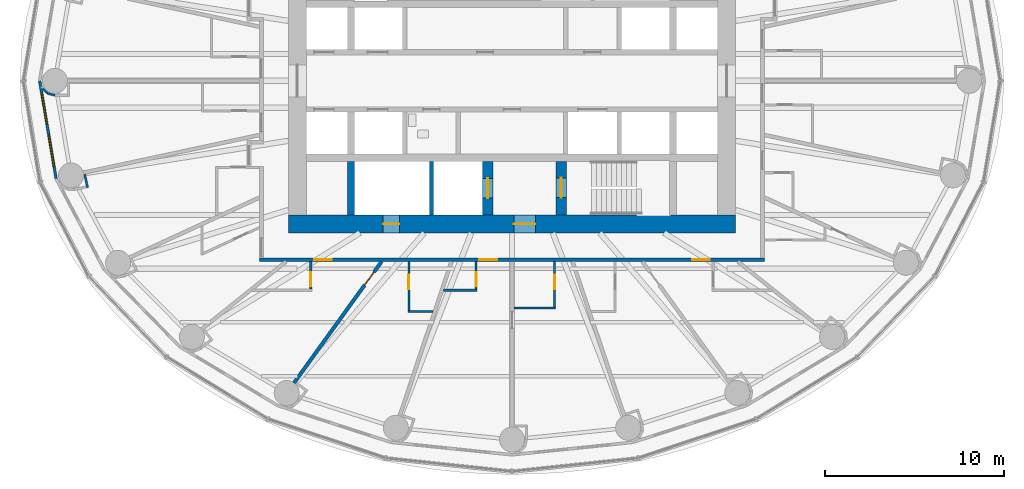
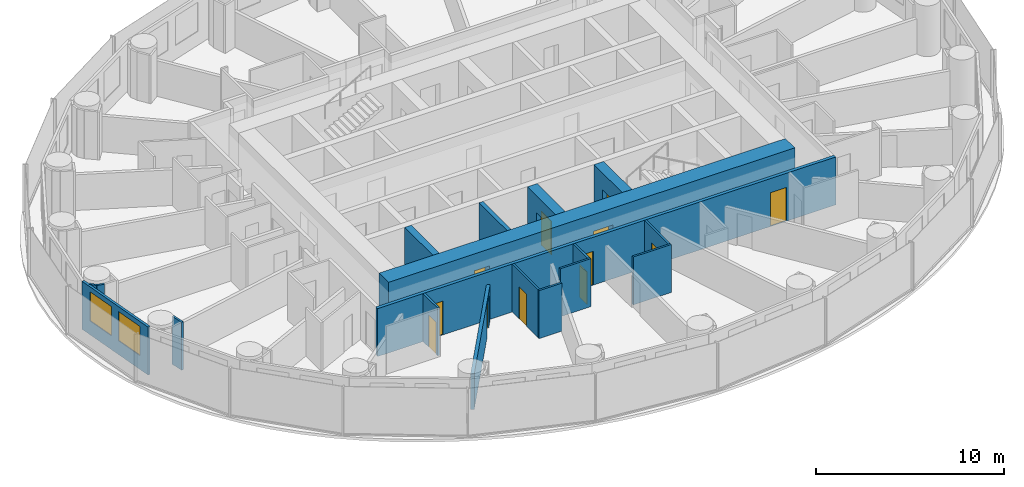
# One storey, part 7 of 16: 18 walls, 12 doors, 2 windows, 14 openings.
"""IFC4 building model written with IfcOpenShell, lengths in metres."""

import ifcopenshell
import ifcopenshell.guid

model = None  # the IFC model being written
_history = None  # IfcOwnerHistory: only IFC2X3 demands one
_inside = {}  # id of a spatial element -> (the spatial element, [elements in it])
_under = {}  # id of a project, library or spatial element -> (it, [spatial elements below it])
_declared = {}  # id of a project -> (the project, [libraries it declares])
_typed = {}  # id of a type object -> (the type object, [elements of that type])
_made_of = {}  # id of a material, layer set ... -> (it, [elements and type objects made of it])


def new_model(schema):
    """Start an empty IFC model of exactly this schema.

    Asked for "IFC4X3", IfcOpenShell would pick the latest addendum, in which some entities
    have other attributes; the version numbers below select the first issue.
    IFC2X3 requires an IfcOwnerHistory on every rooted entity: one is made here for all.
    """
    global model, _history
    if schema == "IFC4X3":
        model = ifcopenshell.file(schema_version=(4, 3, 0, 0))
    else:
        model = ifcopenshell.file(schema=schema)
    _inside.clear()
    _under.clear()
    _declared.clear()
    _typed.clear()
    _made_of.clear()
    _history = None
    if model.schema == "IFC2X3":
        org = make("IfcOrganization", Name="unknown")
        user = make(
            "IfcPersonAndOrganization",
            ThePerson=make("IfcPerson", FamilyName="unknown"),
            TheOrganization=org,
        )
        app = make(
            "IfcApplication",
            ApplicationDeveloper=org,
            Version="unknown",
            ApplicationFullName="unknown",
            ApplicationIdentifier="unknown",
        )
        _history = make(
            "IfcOwnerHistory",
            OwningUser=user,
            OwningApplication=app,
            ChangeAction="ADDED",
            CreationDate=0,
        )
    return model


def make(cls, **values):
    """One entity of the class cls with the attributes given. An attribute that is None is left unset."""
    return model.create_entity(
        cls, **{name: value for name, value in values.items() if value is not None}
    )


def rooted(cls, **values):
    """An entity with a GlobalId (a new one), such as an element, a storey or a relation."""
    return make(cls, GlobalId=ifcopenshell.guid.new(), OwnerHistory=_history, **values)


def si_unit(unit_type, name, prefix=None):
    """IfcSIUnit, for example si_unit("LENGTHUNIT", "METRE", prefix="MILLI")."""
    return make("IfcSIUnit", UnitType=unit_type, Prefix=prefix, Name=name)


def assignment(units):
    """IfcUnitAssignment: the units of a project."""
    return None if units is None else make("IfcUnitAssignment", Units=units)


def point(xyz):
    """IfcCartesianPoint."""
    return None if xyz is None else make("IfcCartesianPoint", Coordinates=xyz)


def direction(xyz):
    """IfcDirection."""
    return None if xyz is None else make("IfcDirection", DirectionRatios=xyz)


def frame(location, z_axis=None, x_axis=None):
    """IfcAxis2Placement3D, a coordinate frame: its origin and axes. An axis left out is left unset."""
    return make(
        "IfcAxis2Placement3D",
        Location=point(location),
        Axis=direction(z_axis),
        RefDirection=direction(x_axis),
    )


def frame_2d(location, x_axis=None):
    """IfcAxis2Placement2D, a coordinate frame in the plane: its origin and x axis."""
    return make(
        "IfcAxis2Placement2D", Location=point(location), RefDirection=direction(x_axis)
    )


def origin():
    """The frame at (0, 0, 0) with its axes left unset."""
    return frame((0.0, 0.0, 0.0))


def place(relative_to, where):
    """IfcLocalPlacement: puts the frame where relative to a parent placement (None: the world)."""
    return make(
        "IfcLocalPlacement", PlacementRelTo=relative_to, RelativePlacement=where
    )


def context(
    kind, dimensions, precision=None, world=None, true_north=None, identifier=None
):
    """IfcGeometricRepresentationContext, for example the 3D "Model" context."""
    return make(
        "IfcGeometricRepresentationContext",
        ContextIdentifier=identifier,
        ContextType=kind,
        CoordinateSpaceDimension=dimensions,
        Precision=precision,
        WorldCoordinateSystem=world,
        TrueNorth=true_north,
    )


def subcontext(parent, identifier, kind, view, scale=None):
    """IfcGeometricRepresentationSubContext, for example "Body" below "Model"."""
    return make(
        "IfcGeometricRepresentationSubContext",
        ContextIdentifier=identifier,
        ContextType=kind,
        ParentContext=parent,
        TargetScale=scale,
        TargetView=view,
    )


def project(units=None, contexts=None):
    """IfcProject with its units and contexts."""
    return rooted(
        "IfcProject",
        Name="project",
        RepresentationContexts=contexts,
        UnitsInContext=assignment(units),
    )


def spatial(cls, under=None, at=None, **own):
    """A site, building, storey or space (cls), placed at a placement, below another one or the project."""
    s = rooted(cls, ObjectPlacement=at, **own)
    if under is not None:
        _under.setdefault(under.id(), (under, []))[1].append(s)
    return s


def profile(cls, at=None, kind="AREA", **sizes):
    """A parametric profile (cls). Its sizes go by their IFC names, for example OverallWidth=200.0."""
    return make(cls, ProfileType=kind, Position=at, **sizes)


def rectangle(**sizes):
    """IfcRectangleProfileDef."""
    return profile("IfcRectangleProfileDef", **sizes)


def extrude(swept, where, along, depth):
    """IfcExtrudedAreaSolid: the profile swept, set in the frame where, extruded along a direction by depth."""
    return make(
        "IfcExtrudedAreaSolid",
        SweptArea=swept,
        Position=where,
        ExtrudedDirection=direction(along),
        Depth=depth,
    )


def shape(context_of_items, identifier, shape_type, items):
    """IfcShapeRepresentation: the items that make up one representation, for example the "Body"."""
    return make(
        "IfcShapeRepresentation",
        ContextOfItems=context_of_items,
        RepresentationIdentifier=identifier,
        RepresentationType=shape_type,
        Items=items,
    )


def material(Name=None, Category=None):
    """IfcMaterial."""
    return make("IfcMaterial", Name=Name, Category=Category)


def layer(
    of_material, thickness, ventilated=None, Name=None, Category=None, Priority=None
):
    """IfcMaterialLayer: one layer of a wall or slab, of a material (None: an air gap)."""
    return make(
        "IfcMaterialLayer",
        Material=of_material,
        LayerThickness=thickness,
        IsVentilated=ventilated,
        Name=Name,
        Category=Category,
        Priority=Priority,
    )


def layer_set(layers, Name=None):
    """IfcMaterialLayerSet."""
    return make("IfcMaterialLayerSet", MaterialLayers=layers, LayerSetName=Name)


def made_of(thing, what):
    """Note that an element or type object is made of a material, layer set ...; save() writes the relation."""
    if what is not None:
        _made_of.setdefault(what.id(), (what, []))[1].append(thing)
    return thing


def type_object(cls, material=None, **own):
    """A type object (cls), such as IfcWallType, which elements share."""
    return made_of(rooted(cls, **own), material)


def element(
    cls,
    number,
    at=None,
    inside=None,
    cuts=None,
    type_object=None,
    material=None,
    context=None,
    identifier="Body",
    shape_type=None,
    held_by="IfcProductDefinitionShape",
    body=None,
    shapes=None,
    **own,
):
    """One element of the class cls, such as IfcWall. Its Tag is "e" and its number.

    at: its placement. inside: the storey or other place that contains it. cuts: it is an
    opening in that element (IfcRelVoidsElement). A single representation is given by context,
    identifier, shape_type and body (its items); several are given by shapes. held_by: the class
    of the entity that holds the representations. save() writes the other relations.
    """
    e = rooted(cls, Tag="e%d" % number, ObjectPlacement=at, **own)
    if body is not None:
        shapes = [shape(context, identifier, shape_type, body)]
    if shapes is not None:
        e.Representation = make(held_by, Representations=shapes)
    if inside is not None:
        _inside.setdefault(inside.id(), (inside, []))[1].append(e)
    if cuts is not None:
        rooted(
            "IfcRelVoidsElement", RelatingBuildingElement=cuts, RelatedOpeningElement=e
        )
    if type_object is not None:
        _typed.setdefault(type_object.id(), (type_object, []))[1].append(e)
    return made_of(e, material)


def fill(opening, filler):
    """IfcRelFillsElement: the door or window that sits in an opening."""
    return rooted(
        "IfcRelFillsElement",
        RelatingOpeningElement=opening,
        RelatedBuildingElement=filler,
    )


def aggregate(whole, parts):
    """IfcRelAggregates: a whole, such as a stair, and the parts it consists of."""
    return rooted("IfcRelAggregates", RelatingObject=whole, RelatedObjects=parts)


def save(model, path):
    """Write the relations noted so far, then the file.

    IfcRelAggregates (storeys below a building ...), IfcRelContainedInSpatialStructure (elements
    in a storey), IfcRelDefinesByType, IfcRelAssociatesMaterial and IfcRelDeclares: one each for
    every whole, place, type object, material and project.
    """
    for whole, parts in _under.values():
        aggregate(whole, parts)
    for where, things in _inside.values():
        rooted(
            "IfcRelContainedInSpatialStructure",
            RelatedElements=things,
            RelatingStructure=where,
        )
    for kind, things in _typed.values():
        rooted("IfcRelDefinesByType", RelatedObjects=things, RelatingType=kind)
    for what, things in _made_of.values():
        rooted("IfcRelAssociatesMaterial", RelatedObjects=things, RelatingMaterial=what)
    for by, libraries in _declared.values():
        rooted("IfcRelDeclares", RelatingContext=by, RelatedDefinitions=libraries)
    model.write(path)


model = new_model("IFC4")

# Units and contexts
model_context = context("Model", 3, precision=1e-05, world=origin(), true_north=direction((0.0, 1.0)))
body_context = subcontext(model_context, "Body", "Model", "MODEL_VIEW")
ifc_project = project(units=[si_unit("LENGTHUNIT", "METRE"), si_unit("AREAUNIT", "SQUARE_METRE"), si_unit("VOLUMEUNIT", "CUBIC_METRE"), si_unit("PLANEANGLEUNIT", "RADIAN"), si_unit("MASSUNIT", "GRAM", prefix="KILO")], contexts=[model_context])

# Site, building, storey
site_placement = place(None, origin())
site = spatial("IfcSite", under=ifc_project, at=site_placement, CompositionType="ELEMENT")
building_placement = place(site_placement, origin())
building = spatial("IfcBuilding", under=site, at=building_placement, Name="Hankou Lantern Tower", CompositionType="ELEMENT")
storey_placement = place(building_placement, frame((0.0, 0.0, 77.10009765625)))
storey = spatial("IfcBuildingStorey", under=building, at=storey_placement, Name="L19", CompositionType="ELEMENT", Elevation=77.10009765625)

# Wall, openings, doors
ifc_material_1 = material(Name="Concrete C60", Category="concrete")
ifc_layer_1 = layer(ifc_material_1, 1.0)
ifc_layer_set_1 = layer_set([ifc_layer_1], Name="Concrete C60")
wall_type_1 = type_object("IfcWallType", Name="CW1 CORE WALL 1000", PredefinedType="SHEAR", material=ifc_layer_set_1)
wall_1_placement = place(storey_placement, frame((12.5, -8.0, 0.0), z_axis=(0.0, 0.0, 1.0), x_axis=(-1.0, 0.0, 0.0)))
wall_1 = element("IfcWall", 1, at=wall_1_placement, inside=storey, type_object=wall_type_1, Name="Core wall south L19", PredefinedType="SHEAR", context=body_context, shape_type="SweptSolid", body=[
    extrude(rectangle(XDim=25.0, YDim=1.0, at=frame_2d((12.5, 0.0))), origin(), (0.0, 0.0, 1.0), 3.2998046875),
])
opening_1_placement = place(wall_1_placement, frame((11.199951171875, 0.0, 0.0)))
opening_1 = element("IfcOpeningElement", 2, at=opening_1_placement, cuts=wall_1, Name="Opening D5", PredefinedType="OPENING", context=body_context, shape_type="SweptSolid", body=[
    extrude(rectangle(XDim=1.199951171875, YDim=2.199951171875, at=frame_2d((0.60009765625, 1.10009765625))), frame((0.0, 0.510009765625, 0.0), z_axis=(0.0, -1.0, 0.0), x_axis=(1.0, 0.0, 0.0)), (0.0, 0.0, 1.0), 1.02001953125),
])
opening_2_placement = place(wall_1_placement, frame((18.800048828125, 0.0, 0.0)))
opening_2 = element("IfcOpeningElement", 3, at=opening_2_placement, cuts=wall_1, Name="Opening D7", PredefinedType="OPENING", context=body_context, shape_type="SweptSolid", body=[
    extrude(rectangle(XDim=0.89990234375, YDim=2.199951171875, at=frame_2d((0.449951171875, 1.10009765625))), frame((0.0, 0.510009765625, 0.0), z_axis=(0.0, -1.0, 0.0), x_axis=(1.0, 0.0, 0.0)), (0.0, 0.0, 1.0), 1.02001953125),
])
ifc_material_2 = material(Name="Steel door leaf", Category="steel")
door_type_1 = type_object("IfcDoorType", Name="D5 STAIR LOBBY DOOR 1200X2200", OperationType="SINGLE_SWING_LEFT", PredefinedType="DOOR", material=ifc_material_2)
door_1_placement = place(opening_1_placement, origin())
door_1 = element("IfcDoor", 4, at=door_1_placement, inside=storey, type_object=door_type_1, Name="Stair B lobby door", OperationType="SINGLE_SWING_LEFT", OverallHeight=2.199951171875, OverallWidth=1.199951171875, PredefinedType="DOOR", context=body_context, shape_type="SweptSolid", body=[
    extrude(rectangle(XDim=1.199951171875, YDim=2.199951171875, at=frame_2d((0.60009765625, 1.10009765625))), frame((0.0, 0.02490234375, 0.0), z_axis=(0.0, -1.0, 0.0), x_axis=(1.0, 0.0, 0.0)), (0.0, 0.0, 1.0), 0.050048828125),
])
fill(opening_1, door_1)
ifc_material_3 = material(Name="Steel door leaf", Category="steel")
door_type_2 = type_object("IfcDoorType", Name="D7 RISER DOOR 900X2200", OperationType="SINGLE_SWING_LEFT", PredefinedType="DOOR", material=ifc_material_3)
door_2_placement = place(opening_2_placement, origin())
door_2 = element("IfcDoor", 5, at=door_2_placement, inside=storey, type_object=door_type_2, Name="Riser S1 door", OperationType="SINGLE_SWING_RIGHT", OverallHeight=2.199951171875, OverallWidth=0.89990234375, PredefinedType="DOOR", context=body_context, shape_type="SweptSolid", body=[
    extrude(rectangle(XDim=0.89990234375, YDim=2.199951171875, at=frame_2d((0.449951171875, 1.10009765625))), frame((0.0, 0.02490234375, 0.0), z_axis=(0.0, -1.0, 0.0), x_axis=(1.0, 0.0, 0.0)), (0.0, 0.0, 1.0), 0.050048828125),
])
fill(opening_2, door_2)

# Wall
ifc_material_4 = material(Name="Concrete C60", Category="concrete")
ifc_layer_2 = layer(ifc_material_4, 0.39990234375)
ifc_layer_set_2 = layer_set([ifc_layer_2], Name="Concrete C60")
wall_type_2 = type_object("IfcWallType", Name="CW4 CORE CROSS WALL 400", PredefinedType="SHEAR", material=ifc_layer_set_2)
wall_2_placement = place(storey_placement, frame((-9.0, -7.5, 0.0), z_axis=(0.0, 0.0, 1.0), x_axis=(0.0, 1.0, 0.0)))
element("IfcWall", 6, at=wall_2_placement, inside=storey, type_object=wall_type_2, Name="Core strip wall L19", PredefinedType="SHEAR", context=body_context, shape_type="SweptSolid", body=[
    extrude(rectangle(XDim=3.0, YDim=0.39990234375, at=frame_2d((1.5, 0.0))), origin(), (0.0, 0.0, 1.0), 3.2998046875),
])

# Wall, opening, door
ifc_material_5 = material(Name="Concrete C60", Category="concrete")
ifc_layer_3 = layer(ifc_material_5, 0.60009765625)
ifc_layer_set_3 = layer_set([ifc_layer_3], Name="Concrete C60")
wall_type_3 = type_object("IfcWallType", Name="CW6 STAIR AND SHAFT WALL 600", PredefinedType="SHEAR", material=ifc_layer_set_3)
wall_3_placement = place(storey_placement, frame((2.75, -7.5, 0.0), z_axis=(0.0, 0.0, 1.0), x_axis=(0.0, 1.0, 0.0)))
wall_3 = element("IfcWall", 7, at=wall_3_placement, inside=storey, type_object=wall_type_3, Name="Stair wall L19", PredefinedType="SHEAR", context=body_context, shape_type="SweptSolid", body=[
    extrude(rectangle(XDim=3.0, YDim=0.60009765625, at=frame_2d((1.5, 0.0))), origin(), (0.0, 0.0, 1.0), 3.2998046875),
])
opening_3_placement = place(wall_3_placement, frame((0.97509765625, 0.0, 0.0)))
opening_3 = element("IfcOpeningElement", 8, at=opening_3_placement, cuts=wall_3, Name="Opening D4", PredefinedType="OPENING", context=body_context, shape_type="SweptSolid", body=[
    extrude(rectangle(XDim=1.10009765625, YDim=2.199951171875, at=frame_2d((0.550048828125, 1.10009765625))), frame((0.0, 0.31005859375, 0.0), z_axis=(0.0, -1.0, 0.0), x_axis=(1.0, 0.0, 0.0)), (0.0, 0.0, 1.0), 0.6201171875),
])
ifc_material_6 = material(Name="Steel door leaf", Category="steel")
door_type_3 = type_object("IfcDoorType", Name="D4 STAIR DOOR 1100X2200", OperationType="SINGLE_SWING_LEFT", PredefinedType="DOOR", material=ifc_material_6)
door_3_placement = place(opening_3_placement, origin())
door_3 = element("IfcDoor", 9, at=door_3_placement, inside=storey, type_object=door_type_3, Name="Stair B door", OperationType="SINGLE_SWING_RIGHT", OverallHeight=2.199951171875, OverallWidth=1.10009765625, PredefinedType="DOOR", context=body_context, shape_type="SweptSolid", body=[
    extrude(rectangle(XDim=1.10009765625, YDim=2.199951171875, at=frame_2d((0.550048828125, 1.10009765625))), frame((0.0, 0.02490234375, 0.0), z_axis=(0.0, -1.0, 0.0), x_axis=(1.0, 0.0, 0.0)), (0.0, 0.0, 1.0), 0.050048828125),
])
fill(opening_3, door_3)

wall_4_placement = place(storey_placement, frame((-1.35009765625, -7.5, 0.0), z_axis=(0.0, 0.0, 1.0), x_axis=(0.0, 1.0, 0.0)))
wall_4 = element("IfcWall", 10, at=wall_4_placement, inside=storey, type_object=wall_type_3, Name="Firefighting lift shaft wall L19", PredefinedType="SHEAR", context=body_context, shape_type="SweptSolid", body=[
    extrude(rectangle(XDim=3.0, YDim=0.60009765625, at=frame_2d((1.5, 0.0))), origin(), (0.0, 0.0, 1.0), 3.2998046875),
])
opening_4_placement = place(wall_4_placement, frame((0.949951171875, 0.0, 0.0)))
opening_4 = element("IfcOpeningElement", 11, at=opening_4_placement, cuts=wall_4, Name="Opening LD2", PredefinedType="OPENING", context=body_context, shape_type="SweptSolid", body=[
    extrude(rectangle(XDim=1.10009765625, YDim=2.199951171875, at=frame_2d((0.550048828125, 1.10009765625))), frame((0.0, 0.31005859375, 0.0), z_axis=(0.0, -1.0, 0.0), x_axis=(1.0, 0.0, 0.0)), (0.0, 0.0, 1.0), 0.6201171875),
])
ifc_material_7 = material(Name="Steel door leaf", Category="steel")
door_type_4 = type_object("IfcDoorType", Name="LD2 FIREFIGHTING LIFT LANDING DOOR 1100X2200", OperationType="DOUBLE_DOOR_SLIDING", PredefinedType="DOOR", material=ifc_material_7)
door_4_placement = place(opening_4_placement, origin())
door_4 = element("IfcDoor", 12, at=door_4_placement, inside=storey, type_object=door_type_4, Name="Firefighting lift FL2 landing door", OperationType="DOUBLE_DOOR_SLIDING", OverallHeight=2.199951171875, OverallWidth=1.10009765625, PredefinedType="DOOR", context=body_context, shape_type="SweptSolid", body=[
    extrude(rectangle(XDim=1.10009765625, YDim=2.199951171875, at=frame_2d((0.550048828125, 1.10009765625))), frame((0.0, 0.02490234375, 0.0), z_axis=(0.0, -1.0, 0.0), x_axis=(1.0, 0.0, 0.0)), (0.0, 0.0, 1.0), 0.050048828125),
])
fill(opening_4, door_4)

# Wall, openings, windows
ifc_material_8 = material(Name="Aluminium spandrel panel on steel studs", Category="steel")
ifc_layer_4 = layer(ifc_material_8, 0.14990234375)
ifc_layer_set_4 = layer_set([ifc_layer_4], Name="Aluminium spandrel panel on steel studs")
wall_type_4 = type_object("IfcWallType", Name="EW1 INNER SKIN WALL 150", PredefinedType="ELEMENTEDWALL", material=ifc_layer_set_4)
wall_5_placement = place(storey_placement, frame((-26.39990234375, 0.0, 0.0), z_axis=(0.0, 0.0, 1.0), x_axis=(0.165642551694, -0.986185857264, 0.0)))
wall_5 = element("IfcWall", 13, at=wall_5_placement, inside=storey, type_object=wall_type_4, Name="Inner skin R13-R14 L19", PredefinedType="ELEMENTEDWALL", context=body_context, shape_type="SweptSolid", body=[
    extrude(rectangle(XDim=5.538818359375, YDim=0.14990234375, at=frame_2d((2.76953125, 0.0))), origin(), (0.0, 0.0, 1.0), 3.119873046875),
])
opening_5_placement = place(wall_5_placement, frame((0.66943359375, 0.0, 0.89990234375)))
opening_5 = element("IfcOpeningElement", 14, at=opening_5_placement, cuts=wall_5, Name="Opening W1", PredefinedType="OPENING", context=body_context, shape_type="SweptSolid", body=[
    extrude(rectangle(XDim=1.800048828125, YDim=1.89990234375, at=frame_2d((0.89990234375, 0.949951171875))), frame((0.0, 0.0849609375, 0.0), z_axis=(0.0, -1.0, 0.0), x_axis=(1.0, 0.0, 0.0)), (0.0, 0.0, 1.0), 0.169921875),
])
opening_6_placement = place(wall_5_placement, frame((3.069580078125, 0.0, 0.89990234375)))
opening_6 = element("IfcOpeningElement", 15, at=opening_6_placement, cuts=wall_5, Name="Opening W1", PredefinedType="OPENING", context=body_context, shape_type="SweptSolid", body=[
    extrude(rectangle(XDim=1.800048828125, YDim=1.89990234375, at=frame_2d((0.89990234375, 0.949951171875))), frame((0.0, 0.0849609375, 0.0), z_axis=(0.0, -1.0, 0.0), x_axis=(1.0, 0.0, 0.0)), (0.0, 0.0, 1.0), 0.169921875),
])
ifc_material_9 = material(Name="Aluminium framed double glazed window", Category="aluminium")
window_type = type_object("IfcWindowType", Name="W1 GUEST ROOM WINDOW 1800X1900", PartitioningType="DOUBLE_PANEL_VERTICAL", PredefinedType="WINDOW", material=ifc_material_9)
window_1_placement = place(opening_5_placement, origin())
window_1 = element("IfcWindow", 16, at=window_1_placement, inside=storey, type_object=window_type, Name="Window R13.1 L19", OverallHeight=1.89990234375, OverallWidth=1.800048828125, PartitioningType="SINGLE_PANEL", PredefinedType="WINDOW", context=body_context, shape_type="SweptSolid", body=[
    extrude(rectangle(XDim=1.800048828125, YDim=1.89990234375, at=frame_2d((0.89990234375, 0.949951171875))), frame((0.0, 0.030029296875, 0.0), z_axis=(0.0, -1.0, 0.0), x_axis=(1.0, 0.0, 0.0)), (0.0, 0.0, 1.0), 0.06005859375),
])
fill(opening_5, window_1)
window_2_placement = place(opening_6_placement, origin())
window_2 = element("IfcWindow", 17, at=window_2_placement, inside=storey, type_object=window_type, Name="Window R13.2 L19", OverallHeight=1.89990234375, OverallWidth=1.800048828125, PartitioningType="SINGLE_PANEL", PredefinedType="WINDOW", context=body_context, shape_type="SweptSolid", body=[
    extrude(rectangle(XDim=1.800048828125, YDim=1.89990234375, at=frame_2d((0.89990234375, 0.949951171875))), frame((0.0, 0.030029296875, 0.0), z_axis=(0.0, -1.0, 0.0), x_axis=(1.0, 0.0, 0.0)), (0.0, 0.0, 1.0), 0.06005859375),
])
fill(opening_6, window_2)

# Wall, openings, doors
ifc_material_10 = material(Name="Masonry lightweight concrete block", Category="masonry")
ifc_layer_5 = layer(ifc_material_10, 0.199951171875)
ifc_layer_set_5 = layer_set([ifc_layer_5], Name="Masonry lightweight concrete block")
wall_type_5 = type_object("IfcWallType", Name="IW2 CORRIDOR WALL 200", PredefinedType="PARTITIONING", material=ifc_layer_set_5)
wall_6_placement = place(storey_placement, frame((14.10009765625, -10.0, 0.0), z_axis=(0.0, 0.0, 1.0), x_axis=(-1.0, 0.0, 0.0)))
wall_6 = element("IfcWall", 18, at=wall_6_placement, inside=storey, type_object=wall_type_5, Name="Corridor wall south", PredefinedType="PARTITIONING", context=body_context, shape_type="SweptSolid", body=[
    extrude(rectangle(XDim=28.2001953125, YDim=0.199951171875, at=frame_2d((14.10009765625, 0.0))), origin(), (0.0, 0.0, 1.0), 3.119873046875),
])
opening_7_placement = place(wall_6_placement, frame((24.1650390625, 0.0, 0.0)))
opening_7 = element("IfcOpeningElement", 19, at=opening_7_placement, cuts=wall_6, Name="Opening D2", PredefinedType="OPENING", context=body_context, shape_type="SweptSolid", body=[
    extrude(rectangle(XDim=1.0, YDim=2.199951171875, at=frame_2d((0.5, 1.10009765625))), frame((0.0, 0.10986328125, 0.0), z_axis=(0.0, -1.0, 0.0), x_axis=(1.0, 0.0, 0.0)), (0.0, 0.0, 1.0), 0.219970703125),
])
opening_8_placement = place(wall_6_placement, frame((14.9228515625, 0.0, 0.0)))
opening_8 = element("IfcOpeningElement", 20, at=opening_8_placement, cuts=wall_6, Name="Opening D2", PredefinedType="OPENING", context=body_context, shape_type="SweptSolid", body=[
    extrude(rectangle(XDim=1.0, YDim=2.199951171875, at=frame_2d((0.5, 1.10009765625))), frame((0.0, 0.10986328125, 0.0), z_axis=(0.0, -1.0, 0.0), x_axis=(1.0, 0.0, 0.0)), (0.0, 0.0, 1.0), 0.219970703125),
])
opening_9_placement = place(wall_6_placement, frame((3.034912109375, 0.0, 0.0)))
opening_9 = element("IfcOpeningElement", 21, at=opening_9_placement, cuts=wall_6, Name="Opening D2", PredefinedType="OPENING", context=body_context, shape_type="SweptSolid", body=[
    extrude(rectangle(XDim=1.0, YDim=2.199951171875, at=frame_2d((0.5, 1.10009765625))), frame((0.0, 0.10986328125, 0.0), z_axis=(0.0, -1.0, 0.0), x_axis=(1.0, 0.0, 0.0)), (0.0, 0.0, 1.0), 0.219970703125),
])
ifc_material_11 = material(Name="Steel door leaf", Category="steel")
door_type_5 = type_object("IfcDoorType", Name="D2 SUITE DOOR 1000X2200", OperationType="SINGLE_SWING_LEFT", PredefinedType="DOOR", material=ifc_material_11)
door_5_placement = place(opening_7_placement, origin())
door_5 = element("IfcDoor", 22, at=door_5_placement, inside=storey, type_object=door_type_5, Name="Suite door 1901C", OperationType="SINGLE_SWING_RIGHT", OverallHeight=2.199951171875, OverallWidth=1.0, PredefinedType="DOOR", context=body_context, shape_type="SweptSolid", body=[
    extrude(rectangle(XDim=1.0, YDim=2.199951171875, at=frame_2d((0.5, 1.10009765625))), frame((0.0, 0.02490234375, 0.0), z_axis=(0.0, -1.0, 0.0), x_axis=(1.0, 0.0, 0.0)), (0.0, 0.0, 1.0), 0.050048828125),
])
fill(opening_7, door_5)
door_6_placement = place(opening_8_placement, origin())
door_6 = element("IfcDoor", 23, at=door_6_placement, inside=storey, type_object=door_type_5, Name="Suite door 1902C", OperationType="SINGLE_SWING_RIGHT", OverallHeight=2.199951171875, OverallWidth=1.0, PredefinedType="DOOR", context=body_context, shape_type="SweptSolid", body=[
    extrude(rectangle(XDim=1.0, YDim=2.199951171875, at=frame_2d((0.5, 1.10009765625))), frame((0.0, 0.02490234375, 0.0), z_axis=(0.0, -1.0, 0.0), x_axis=(1.0, 0.0, 0.0)), (0.0, 0.0, 1.0), 0.050048828125),
])
fill(opening_8, door_6)
door_7_placement = place(opening_9_placement, origin())
door_7 = element("IfcDoor", 24, at=door_7_placement, inside=storey, type_object=door_type_5, Name="Suite door 1903C", OperationType="SINGLE_SWING_LEFT", OverallHeight=2.199951171875, OverallWidth=1.0, PredefinedType="DOOR", context=body_context, shape_type="SweptSolid", body=[
    extrude(rectangle(XDim=1.0, YDim=2.199951171875, at=frame_2d((0.5, 1.10009765625))), frame((0.0, 0.02490234375, 0.0), z_axis=(0.0, -1.0, 0.0), x_axis=(1.0, 0.0, 0.0)), (0.0, 0.0, 1.0), 0.050048828125),
])
fill(opening_9, door_7)

# Wall, opening, door
ifc_material_12 = material(Name="Masonry lightweight concrete block", Category="masonry")
ifc_layer_6 = layer(ifc_material_12, 0.1201171875)
ifc_layer_set_6 = layer_set([ifc_layer_6], Name="Masonry lightweight concrete block")
wall_type_6 = type_object("IfcWallType", Name="IW3 BATHROOM WALL 120", PredefinedType="PARTITIONING", material=ifc_layer_set_6)
wall_7_placement = place(storey_placement, frame((-11.2451171875, -10.10009765625, 0.0), z_axis=(0.0, 0.0, 1.0), x_axis=(0.0, -1.0, 0.0)))
wall_7 = element("IfcWall", 25, at=wall_7_placement, inside=storey, type_object=wall_type_6, Name="Box wall 1901C 1", PredefinedType="PARTITIONING", context=body_context, shape_type="SweptSolid", body=[
    extrude(rectangle(XDim=1.539794921875, YDim=0.1201171875, at=frame_2d((0.77001953125, 0.0))), origin(), (0.0, 0.0, 1.0), 3.119873046875),
])
opening_10_placement = place(wall_7_placement, frame((0.590087890625, 0.0, 0.0)))
opening_10 = element("IfcOpeningElement", 26, at=opening_10_placement, cuts=wall_7, Name="Opening D3", PredefinedType="OPENING", context=body_context, shape_type="SweptSolid", body=[
    extrude(rectangle(XDim=0.800048828125, YDim=2.10009765625, at=frame_2d((0.39990234375, 1.050048828125))), frame((0.0, 0.070068359375, 0.0), z_axis=(0.0, -1.0, 0.0), x_axis=(1.0, 0.0, 0.0)), (0.0, 0.0, 1.0), 0.14013671875),
])
ifc_material_13 = material(Name="Timber door leaf", Category="wood")
door_type_6 = type_object("IfcDoorType", Name="D3 BATHROOM DOOR 800X2100", OperationType="SINGLE_SWING_LEFT", PredefinedType="DOOR", material=ifc_material_13)
door_8_placement = place(opening_10_placement, origin())
door_8 = element("IfcDoor", 27, at=door_8_placement, inside=storey, type_object=door_type_6, Name="Suite 1901 guest WC door", OperationType="SINGLE_SWING_LEFT", OverallHeight=2.10009765625, OverallWidth=0.800048828125, PredefinedType="DOOR", context=body_context, shape_type="SweptSolid", body=[
    extrude(rectangle(XDim=0.800048828125, YDim=2.10009765625, at=frame_2d((0.39990234375, 1.050048828125))), frame((0.0, 0.02490234375, 0.0), z_axis=(0.0, -1.0, 0.0), x_axis=(1.0, 0.0, 0.0)), (0.0, 0.0, 1.0), 0.050048828125),
])
fill(opening_10, door_8)

# Wall
wall_8_placement = place(storey_placement, frame((-4.420654296875, -12.89990234375, 0.0), z_axis=(0.0, 0.0, 1.0), x_axis=(-1.0, 0.0, 0.0)))
element("IfcWall", 28, at=wall_8_placement, inside=storey, type_object=wall_type_6, Name="Box wall 1901A 1", PredefinedType="PARTITIONING", context=body_context, shape_type="SweptSolid", body=[
    extrude(rectangle(XDim=1.402099609375, YDim=0.1201171875, at=frame_2d((0.701171875, 0.0))), origin(), (0.0, 0.0, 1.0), 3.119873046875),
])

# Wall, opening, door
wall_9_placement = place(storey_placement, frame((-5.762939453125, -10.10009765625, 0.0), z_axis=(0.0, 0.0, 1.0), x_axis=(0.0, -1.0, 0.0)))
wall_9 = element("IfcWall", 29, at=wall_9_placement, inside=storey, type_object=wall_type_6, Name="Box wall 1901A 1", PredefinedType="PARTITIONING", context=body_context, shape_type="SweptSolid", body=[
    extrude(rectangle(XDim=2.739990234375, YDim=0.1201171875, at=frame_2d((1.3701171875, 0.0))), origin(), (0.0, 0.0, 1.0), 3.119873046875),
])
opening_11_placement = place(wall_9_placement, frame((0.75, 0.0, 0.0)))
opening_11 = element("IfcOpeningElement", 30, at=opening_11_placement, cuts=wall_9, Name="Opening D3", PredefinedType="OPENING", context=body_context, shape_type="SweptSolid", body=[
    extrude(rectangle(XDim=0.800048828125, YDim=2.10009765625, at=frame_2d((0.39990234375, 1.050048828125))), frame((0.0, 0.070068359375, 0.0), z_axis=(0.0, -1.0, 0.0), x_axis=(1.0, 0.0, 0.0)), (0.0, 0.0, 1.0), 0.14013671875),
])
door_9_placement = place(opening_11_placement, origin())
door_9 = element("IfcDoor", 31, at=door_9_placement, inside=storey, type_object=door_type_6, Name="Suite 1901 bathroom door", OperationType="SINGLE_SWING_LEFT", OverallHeight=2.10009765625, OverallWidth=0.800048828125, PredefinedType="DOOR", context=body_context, shape_type="SweptSolid", body=[
    extrude(rectangle(XDim=0.800048828125, YDim=2.10009765625, at=frame_2d((0.39990234375, 1.050048828125))), frame((0.0, 0.02490234375, 0.0), z_axis=(0.0, -1.0, 0.0), x_axis=(1.0, 0.0, 0.0)), (0.0, 0.0, 1.0), 0.050048828125),
])
fill(opening_11, door_9)

# Wall
wall_10_placement = place(storey_placement, frame((-3.81884765625, -11.699951171875, 0.0), z_axis=(0.0, 0.0, 1.0), x_axis=(1.0, 0.0, 0.0)))
element("IfcWall", 32, at=wall_10_placement, inside=storey, type_object=wall_type_6, Name="Box wall 1902C 1", PredefinedType="PARTITIONING", context=body_context, shape_type="SweptSolid", body=[
    extrude(rectangle(XDim=1.8759765625, YDim=0.1201171875, at=frame_2d((0.93798828125, 0.0))), origin(), (0.0, 0.0, 1.0), 3.119873046875),
])

# Wall, opening, door
wall_11_placement = place(storey_placement, frame((-2.0029296875, -10.10009765625, 0.0), z_axis=(0.0, 0.0, 1.0), x_axis=(0.0, -1.0, 0.0)))
wall_11 = element("IfcWall", 33, at=wall_11_placement, inside=storey, type_object=wall_type_6, Name="Box wall 1902C 1", PredefinedType="PARTITIONING", context=body_context, shape_type="SweptSolid", body=[
    extrude(rectangle(XDim=1.539794921875, YDim=0.1201171875, at=frame_2d((0.77001953125, 0.0))), origin(), (0.0, 0.0, 1.0), 3.119873046875),
])
opening_12_placement = place(wall_11_placement, frame((0.590087890625, 0.0, 0.0)))
opening_12 = element("IfcOpeningElement", 34, at=opening_12_placement, cuts=wall_11, Name="Opening D3", PredefinedType="OPENING", context=body_context, shape_type="SweptSolid", body=[
    extrude(rectangle(XDim=0.800048828125, YDim=2.10009765625, at=frame_2d((0.39990234375, 1.050048828125))), frame((0.0, 0.070068359375, 0.0), z_axis=(0.0, -1.0, 0.0), x_axis=(1.0, 0.0, 0.0)), (0.0, 0.0, 1.0), 0.14013671875),
])
door_10_placement = place(opening_12_placement, origin())
door_10 = element("IfcDoor", 35, at=door_10_placement, inside=storey, type_object=door_type_6, Name="Suite 1902 guest WC door", OperationType="SINGLE_SWING_LEFT", OverallHeight=2.10009765625, OverallWidth=0.800048828125, PredefinedType="DOOR", context=body_context, shape_type="SweptSolid", body=[
    extrude(rectangle(XDim=0.800048828125, YDim=2.10009765625, at=frame_2d((0.39990234375, 1.050048828125))), frame((0.0, 0.02490234375, 0.0), z_axis=(0.0, -1.0, 0.0), x_axis=(1.0, 0.0, 0.0)), (0.0, 0.0, 1.0), 0.050048828125),
])
fill(opening_12, door_10)

# Wall
wall_12_placement = place(storey_placement, frame((0.10009765625, -12.699951171875, 0.0), z_axis=(0.0, 0.0, 1.0), x_axis=(1.0, 0.0, 0.0)))
element("IfcWall", 36, at=wall_12_placement, inside=storey, type_object=wall_type_6, Name="Box wall 1902A 1", PredefinedType="PARTITIONING", context=body_context, shape_type="SweptSolid", body=[
    extrude(rectangle(XDim=2.33984375, YDim=0.1201171875, at=frame_2d((1.169921875, 0.0))), origin(), (0.0, 0.0, 1.0), 3.119873046875),
])

# Wall, opening, door
wall_13_placement = place(storey_placement, frame((2.3798828125, -10.10009765625, 0.0), z_axis=(0.0, 0.0, 1.0), x_axis=(0.0, -1.0, 0.0)))
wall_13 = element("IfcWall", 37, at=wall_13_placement, inside=storey, type_object=wall_type_6, Name="Box wall 1902A 1", PredefinedType="PARTITIONING", context=body_context, shape_type="SweptSolid", body=[
    extrude(rectangle(XDim=2.539794921875, YDim=0.1201171875, at=frame_2d((1.27001953125, 0.0))), origin(), (0.0, 0.0, 1.0), 3.119873046875),
])
opening_13_placement = place(wall_13_placement, frame((0.75, 0.0, 0.0)))
opening_13 = element("IfcOpeningElement", 38, at=opening_13_placement, cuts=wall_13, Name="Opening D3", PredefinedType="OPENING", context=body_context, shape_type="SweptSolid", body=[
    extrude(rectangle(XDim=0.800048828125, YDim=2.10009765625, at=frame_2d((0.39990234375, 1.050048828125))), frame((0.0, 0.070068359375, 0.0), z_axis=(0.0, -1.0, 0.0), x_axis=(1.0, 0.0, 0.0)), (0.0, 0.0, 1.0), 0.14013671875),
])
door_11_placement = place(opening_13_placement, origin())
door_11 = element("IfcDoor", 39, at=door_11_placement, inside=storey, type_object=door_type_6, Name="Suite 1902 bathroom door", OperationType="SINGLE_SWING_LEFT", OverallHeight=2.10009765625, OverallWidth=0.800048828125, PredefinedType="DOOR", context=body_context, shape_type="SweptSolid", body=[
    extrude(rectangle(XDim=0.800048828125, YDim=2.10009765625, at=frame_2d((0.39990234375, 1.050048828125))), frame((0.0, 0.02490234375, 0.0), z_axis=(0.0, -1.0, 0.0), x_axis=(1.0, 0.0, 0.0)), (0.0, 0.0, 1.0), 0.050048828125),
])
fill(opening_13, door_11)

# Walls
ifc_material_14 = material(Name="Masonry lightweight concrete block", Category="masonry")
ifc_layer_7 = layer(ifc_material_14, 0.1201171875)
ifc_layer_set_7 = layer_set([ifc_layer_7], Name="Masonry lightweight concrete block")
wall_type_7 = type_object("IfcWallType", Name="IW4 PARTITION 120", PredefinedType="PARTITIONING", material=ifc_layer_set_7)
wall_14_placement = place(storey_placement, frame((-25.550048828125, -0.8076171875, 0.0), z_axis=(0.0, 0.0, 1.0), x_axis=(-0.965807183573, 0.2592614205, 0.0)))
element("IfcWall", 40, at=wall_14_placement, inside=storey, type_object=wall_type_7, Name="Column casing R13", PredefinedType="PARTITIONING", context=body_context, shape_type="SweptSolid", body=[
    extrude(rectangle(XDim=0.418212890625, YDim=0.1201171875, at=frame_2d((0.208984375, 0.0))), origin(), (0.0, 0.0, 1.0), 3.119873046875),
])
wall_15_placement = place(storey_placement, frame((-25.953857421875, -0.69921875, 0.0), z_axis=(0.0, 0.0, 1.0), x_axis=(-0.707106781187, 0.707106781187, 0.0)))
element("IfcWall", 41, at=wall_15_placement, inside=storey, type_object=wall_type_7, Name="Column casing R13", PredefinedType="PARTITIONING", context=body_context, shape_type="SweptSolid", body=[
    extrude(rectangle(XDim=0.417724609375, YDim=0.1201171875, at=frame_2d((0.208984375, 0.0))), origin(), (0.0, 0.0, 1.0), 3.119873046875),
])
wall_16_placement = place(storey_placement, frame((-23.8828125, -5.2216796875, 0.0), z_axis=(0.0, 0.0, 1.0), x_axis=(0.209311842415, -0.977848941619, 0.0)))
element("IfcWall", 42, at=wall_16_placement, inside=storey, type_object=wall_type_7, Name="Column casing R14 return", PredefinedType="PARTITIONING", context=body_context, shape_type="SweptSolid", body=[
    extrude(rectangle(XDim=0.767578125, YDim=0.1201171875, at=frame_2d((0.3837890625, 0.0))), origin(), (0.0, 0.0, 1.0), 3.119873046875),
])

# Wall, opening, door
ifc_material_15 = material(Name="Masonry lightweight concrete block", Category="masonry")
ifc_layer_8 = layer(ifc_material_15, 0.199951171875)
ifc_layer_set_8 = layer_set([ifc_layer_8], Name="Masonry lightweight concrete block")
wall_type_8 = type_object("IfcWallType", Name="IW6 SUITE PARTITION 200", PredefinedType="PARTITIONING", material=ifc_layer_set_8)
wall_17_placement = place(storey_placement, frame((-7.2890625, -10.10009765625, 0.0), z_axis=(0.0, 0.0, 1.0), x_axis=(-0.585198353053, -0.810890182197, 0.0)))
wall_17 = element("IfcWall", 43, at=wall_17_placement, inside=storey, type_object=wall_type_8, Name="Suite partition R17", PredefinedType="PARTITIONING", context=body_context, shape_type="SweptSolid", body=[
    extrude(rectangle(XDim=8.359619140625, YDim=0.199951171875, at=frame_2d((4.1796875, 0.0))), origin(), (0.0, 0.0, 1.0), 2.31982421875),
])
opening_14_placement = place(wall_17_placement, frame((0.719970703125, 0.0, 0.0)))
opening_14 = element("IfcOpeningElement", 44, at=opening_14_placement, cuts=wall_17, Name="Opening D27", PredefinedType="OPENING", context=body_context, shape_type="SweptSolid", body=[
    extrude(rectangle(XDim=0.89990234375, YDim=2.10009765625, at=frame_2d((0.449951171875, 1.050048828125))), frame((0.0, 0.10986328125, 0.0), z_axis=(0.0, -1.0, 0.0), x_axis=(1.0, 0.0, 0.0)), (0.0, 0.0, 1.0), 0.219970703125),
])
ifc_material_16 = material(Name="Timber door leaf", Category="wood")
door_type_7 = type_object("IfcDoorType", Name="D27 INTERNAL DOOR 900X2100", OperationType="SINGLE_SWING_LEFT", PredefinedType="DOOR", material=ifc_material_16)
door_12_placement = place(opening_14_placement, origin())
door_12 = element("IfcDoor", 45, at=door_12_placement, inside=storey, type_object=door_type_7, Name="Suite 1901 bedroom door", OperationType="SINGLE_SWING_LEFT", OverallHeight=2.10009765625, OverallWidth=0.89990234375, PredefinedType="DOOR", context=body_context, shape_type="SweptSolid", body=[
    extrude(rectangle(XDim=0.89990234375, YDim=2.10009765625, at=frame_2d((0.449951171875, 1.050048828125))), frame((0.0, 0.02490234375, 0.0), z_axis=(0.0, -1.0, 0.0), x_axis=(1.0, 0.0, 0.0)), (0.0, 0.0, 1.0), 0.050048828125),
])
fill(opening_14, door_12)

# Wall
ifc_material_17 = material(Name="Masonry autoclaved aerated concrete block", Category="masonry")
ifc_layer_9 = layer(ifc_material_17, 0.25)
ifc_layer_set_9 = layer_set([ifc_layer_9], Name="Masonry autoclaved aerated concrete block")
wall_type_9 = type_object("IfcWallType", Name="SW1 SHAFT BLOCK WALL 250", PredefinedType="PARTITIONING", material=ifc_layer_set_9)
wall_18_placement = place(storey_placement, frame((-4.5, -7.5, 0.0), z_axis=(0.0, 0.0, 1.0), x_axis=(0.0, 1.0, 0.0)))
element("IfcWall", 46, at=wall_18_placement, inside=storey, type_object=wall_type_9, Name="Riser wall L19", PredefinedType="PARTITIONING", context=body_context, shape_type="SweptSolid", body=[
    extrude(rectangle(XDim=3.0, YDim=0.25, at=frame_2d((1.5, 0.0))), origin(), (0.0, 0.0, 1.0), 3.2998046875),
])

save(model, "model.ifc")
